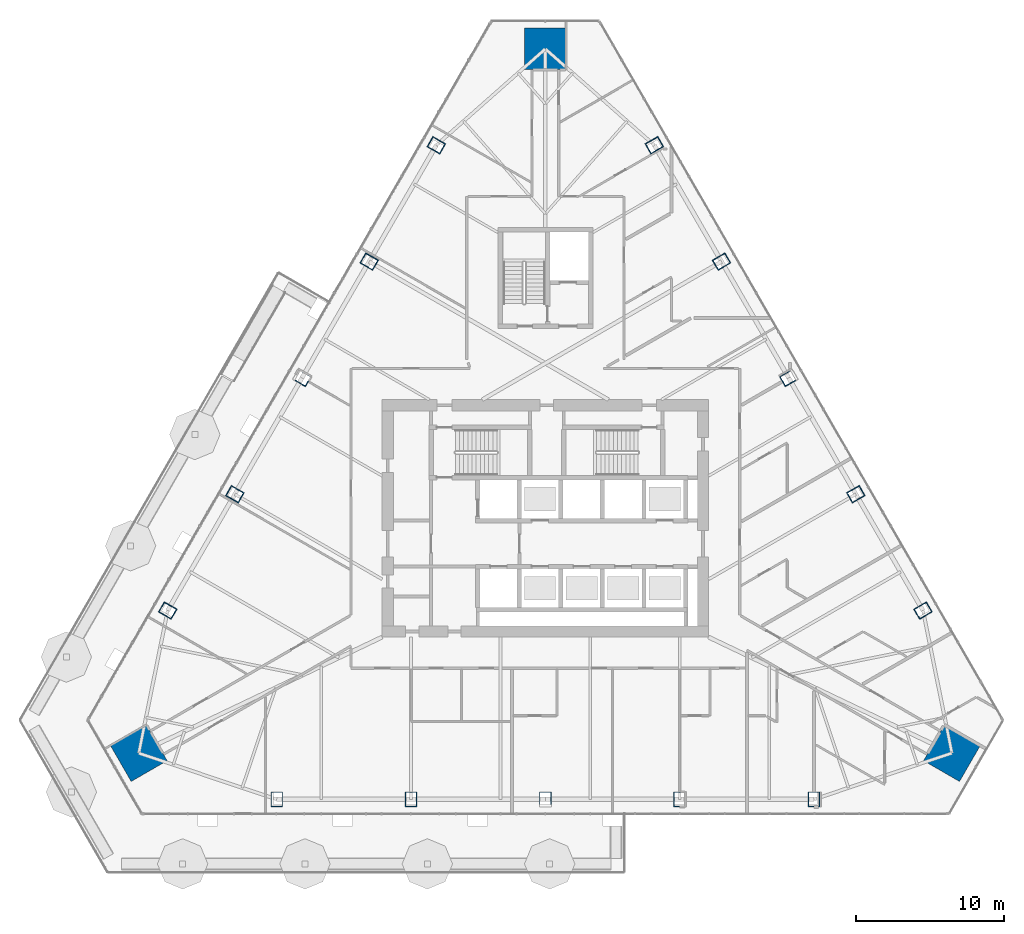
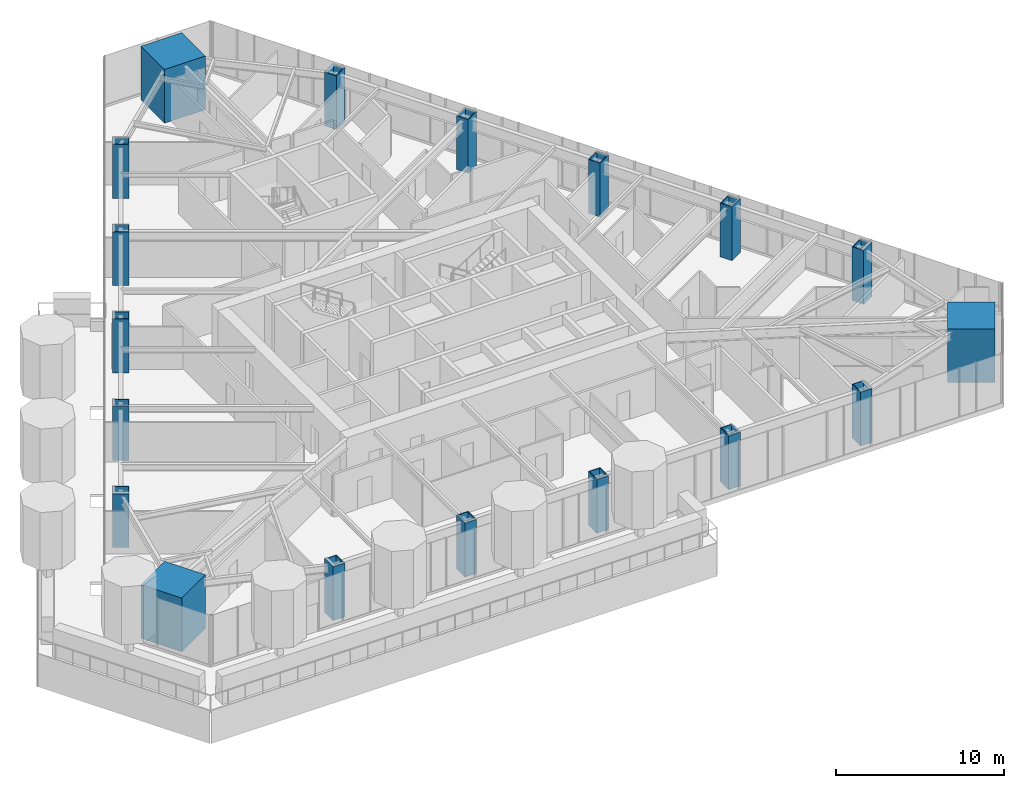
# One storey, part 1 of 32: 18 columns.
"""IFC4 building model written with IfcOpenShell, lengths in metres."""

from ifc_helpers import new_model, si_unit, direction, frame, origin, origin_2d, place, context, subcontext, project, spatial, rectangle, hollow_rectangle, extrude, material, material_profile, profile_set, type_object, element, save


model = new_model("IFC4")

# Units and contexts
model_context = context("Model", 3, precision=1e-05, world=origin(), true_north=direction((0.0, 1.0)))
body_context = subcontext(model_context, "Body", "Model", "MODEL_VIEW")
ifc_project = project(units=[si_unit("LENGTHUNIT", "METRE"), si_unit("AREAUNIT", "SQUARE_METRE"), si_unit("VOLUMEUNIT", "CUBIC_METRE"), si_unit("PLANEANGLEUNIT", "RADIAN"), si_unit("MASSUNIT", "GRAM", prefix="KILO")], contexts=[model_context])

# Site, building, storey
site_placement = place(None, origin())
site = spatial("IfcSite", under=ifc_project, at=site_placement, CompositionType="ELEMENT")
building_placement = place(site_placement, origin())
building = spatial("IfcBuilding", under=site, at=building_placement, Name="Firuza Gate Tower and Library", CompositionType="ELEMENT")
storey_placement = place(building_placement, frame((0.0, 0.0, 163.60009765625)))
storey = spatial("IfcBuildingStorey", under=building, at=storey_placement, Name="L37", CompositionType="ELEMENT", Elevation=163.60009765625)

# Columns
ifc_material_1 = material(Name="Steel S355", Category="steel")
ifc_material_profile_1 = material_profile(ifc_material_1, hollow_rectangle(XDim=0.800048828125, YDim=1.0, WallThickness=0.050048828125, at=origin_2d()))
ifc_profile_set_1 = profile_set([ifc_material_profile_1], Name="Steel S355")
column_type_1 = type_object("IfcColumnType", Name="BU1000x800x50 Composite box column", PredefinedType="COLUMN", material=ifc_profile_set_1)
for number, where, z_axis, x_axis, name in (
    (1, (56.89208984375, 56.06103515625, -0.00048828125), (0.0, 0.0, 1.0), (1.0, 0.0, 0.0), "Column S1 L37"),
    (2, (65.946044921875, 56.06103515625, -0.00048828125), (0.0, 0.0, 1.0), (1.0, 0.0, 0.0), "Column S2 L37"),
    (3, (75.0, 56.06103515625, -0.00048828125), (0.0, 0.0, 1.0), (1.0, 0.0, 0.0), "Column S3 L37"),
    (4, (84.053955078125, 56.06103515625, -0.00048828125), (0.0, 0.0, 1.0), (1.0, 0.0, 0.0), "Column S4 L37"),
    (5, (93.10791015625, 56.06103515625, -0.00048828125), (0.0, 0.0, 1.0), (1.0, 0.0, 0.0), "Column S5 L37"),
    (6, (100.45556640625, 68.78759765625, -0.00048828125), (0.0, 0.0, 1.0), (-0.5, 0.866025403784, 0.0), "Column E1 L37"),
    (7, (95.928466796875, 76.62841796875, -0.00048828125), (0.0, 0.0, 1.0), (-0.5, 0.866025403784, 0.0), "Column E2 L37"),
    (8, (91.401611328125, 84.469482421875, -0.00048828125), (0.0, 0.0, 1.0), (-0.5, 0.866025403784, 0.0), "Column E3 L37"),
    (9, (86.87451171875, 92.310302734375, -0.00048828125), (0.0, 0.0, 1.0), (-0.5, 0.866025403784, 0.0), "Column E4 L37"),
    (10, (82.34765625, 100.1513671875, -0.00048828125), (0.0, 0.0, 1.0), (-0.5, 0.866025403784, 0.0), "Column E5 L37"),
    (11, (67.65234375, 100.1513671875, -0.00048828125), (0.0, 0.0, 1.0), (-0.5, -0.866025403784, 0.0), "Column W1 L37"),
    (12, (63.12548828125, 92.310302734375, -0.00048828125), (0.0, 0.0, 1.0), (-0.5, -0.866025403784, 0.0), "Column W2 L37"),
    (13, (58.598388671875, 84.469482421875, -0.00048828125), (0.0, 0.0, 1.0), (-0.5, -0.866025403784, 0.0), "Column W3 L37"),
    (14, (54.071533203125, 76.62841796875, -0.00048828125), (0.0, 0.0, 1.0), (-0.5, -0.866025403784, 0.0), "Column W4 L37"),
    (15, (49.54443359375, 68.78759765625, -0.00048828125), (0.0, 0.0, 1.0), (-0.5, -0.866025403784, 0.0), "Column W5 L37"),
):
    element("IfcColumn", number, at=place(storey_placement, frame(where, z_axis=z_axis, x_axis=x_axis)), inside=storey, type_object=column_type_1, Name=name, PredefinedType="COLUMN", context=body_context, shape_type="SweptSolid", body=[
        extrude(hollow_rectangle(XDim=0.800048828125, YDim=1.0, WallThickness=0.050048828125, at=origin_2d()), origin(), (0.0, 0.0, 1.0), 3.900390625),
    ])
ifc_material_2 = material(Name="Concrete C80/95", Category="concrete")
ifc_material_profile_2 = material_profile(ifc_material_2, rectangle(XDim=2.800048828125, YDim=2.800048828125, at=origin_2d()))
ifc_profile_set_2 = profile_set([ifc_material_profile_2], Name="Concrete C80/95")
column_type_2 = type_object("IfcColumnType", Name="Mega column 2800x2800 C80/95", PredefinedType="COLUMN", material=ifc_profile_set_2)
for number, where, z_axis, x_axis, name in (
    (16, (102.403076171875, 59.1787109375, 0.0), (0.0, 0.0, 1.0), (0.5, 0.866025403784, 0.0), "Mega column SE L37"),
    (17, (75.0, 106.642333984375, 0.0), (0.0, 0.0, 1.0), (-1.0, 0.0, 0.0), "Mega column N L37"),
    (18, (47.596923828125, 59.1787109375, 0.0), (0.0, 0.0, 1.0), (0.5, -0.866025403784, 0.0), "Mega column SW L37"),
):
    element("IfcColumn", number, at=place(storey_placement, frame(where, z_axis=z_axis, x_axis=x_axis)), inside=storey, type_object=column_type_2, Name=name, PredefinedType="COLUMN", context=body_context, shape_type="SweptSolid", body=[
        extrude(rectangle(XDim=2.800048828125, YDim=2.800048828125, at=origin_2d()), origin(), (0.0, 0.0, 1.0), 3.89990234375),
    ])

save(model, "model.ifc")
